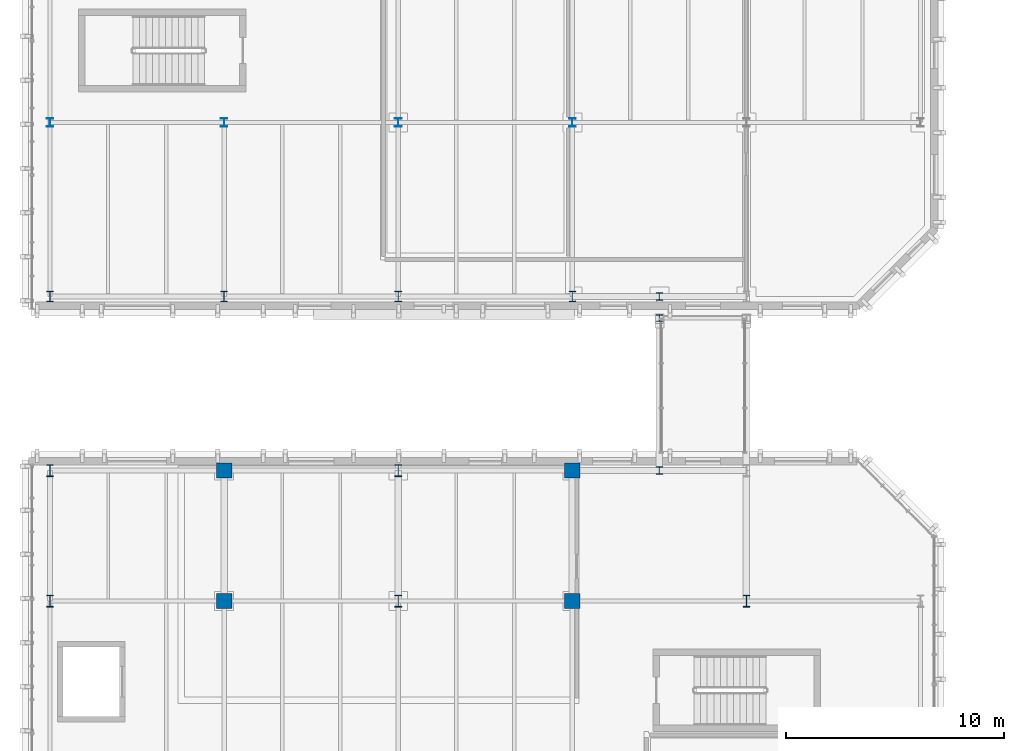
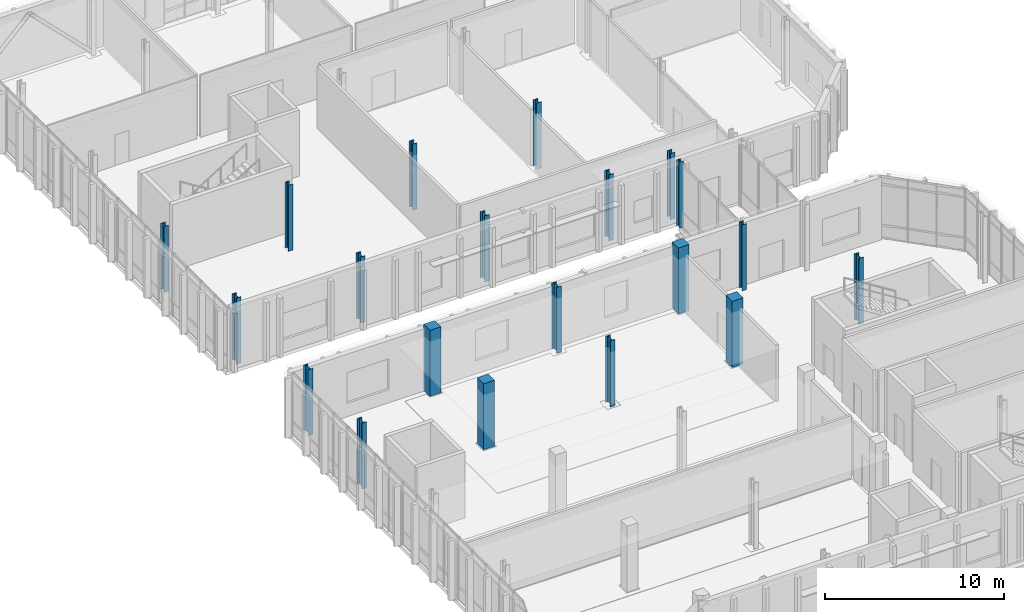
# One storey, part 8 of 100: 20 columns.
"""IFC4 building model written with IfcOpenShell, lengths in metres."""

from ifc_helpers import new_model, si_unit, direction, frame, origin, origin_2d, place, context, subcontext, project, spatial, rectangle, i_section, extrude, material, material_profile, profile_set, type_object, element, save


model = new_model("IFC4")

# Units and contexts
model_context = context("Model", 3, precision=1e-05, world=origin(), true_north=direction((0.0, 1.0)))
body_context = subcontext(model_context, "Body", "Model", "MODEL_VIEW")
ifc_project = project(units=[si_unit("LENGTHUNIT", "METRE"), si_unit("AREAUNIT", "SQUARE_METRE"), si_unit("VOLUMEUNIT", "CUBIC_METRE"), si_unit("PLANEANGLEUNIT", "RADIAN"), si_unit("MASSUNIT", "GRAM", prefix="KILO")], contexts=[model_context])

# Site, building, storey
site_placement = place(None, origin())
site = spatial("IfcSite", under=ifc_project, at=site_placement, CompositionType="ELEMENT")
building_placement = place(site_placement, origin())
building = spatial("IfcBuilding", under=site, at=building_placement, Name="Cymarion Research Institute", CompositionType="ELEMENT")
storey_placement = place(building_placement, frame((0.0, 0.0, 4.800048828125)))
storey = spatial("IfcBuildingStorey", under=building, at=storey_placement, Name="L01", CompositionType="ELEMENT", Elevation=4.800048828125)

# Columns
ifc_material_1 = material(Name="Steel S355", Category="steel")
ifc_material_profile_1 = material_profile(ifc_material_1, i_section(OverallWidth=0.300048828125, OverallDepth=0.550048828125, WebThickness=0.014892578125, FlangeThickness=0.029052734375, FilletRadius=0.027099609375, at=origin_2d()), Name="HEB 550")
ifc_profile_set_1 = profile_set([ifc_material_profile_1], Name="Steel S355")
column_type_1 = type_object("IfcColumnType", Name="STRUCTURAL COLUMN C03 HEB 550", PredefinedType="COLUMN", material=ifc_profile_set_1)
for number, where, z_axis, x_axis, name in (
    (1, (6.60009765625, 71.5, 0.0), (0.0, 0.0, 1.0), (1.0, 0.0, 0.0), "L01 V4 column C03 #456"),
    (2, (6.60009765625, 77.5, 0.0), (0.0, 0.0, 1.0), (1.0, 0.0, 0.0), "L01 V4 column C03 #457"),
    (3, (22.60009765625, 71.5, 0.0), (0.0, 0.0, 1.0), (1.0, 0.0, 0.0), "L01 V4 column C03 #487"),
    (4, (22.60009765625, 77.5, 0.0), (0.0, 0.0, 1.0), (1.0, 0.0, 0.0), "L01 V4 column C03 #488"),
    (5, (38.60009765625, 71.5, 0.0), (0.0, 0.0, 1.0), (1.0, 0.0, 0.0), "L01 V4 column C03 #524"),
):
    element("IfcColumn", number, at=place(storey_placement, frame(where, z_axis=z_axis, x_axis=x_axis)), inside=storey, type_object=column_type_1, Name=name, PredefinedType="COLUMN", context=body_context, shape_type="SweptSolid", body=[
        extrude(i_section(OverallWidth=0.300048828125, OverallDepth=0.550048828125, WebThickness=0.014892578125, FlangeThickness=0.029052734375, FilletRadius=0.027099609375, at=origin_2d()), origin(), (0.0, 0.0, 1.0), 4.5),
    ])
ifc_material_profile_2 = material_profile(ifc_material_1, i_section(OverallWidth=0.300048828125, OverallDepth=0.5, WebThickness=0.014404296875, FlangeThickness=0.028076171875, FilletRadius=0.027099609375, at=origin_2d()), Name="HEB 500")
ifc_profile_set_2 = profile_set([ifc_material_profile_2], Name="Steel S355")
column_type_2 = type_object("IfcColumnType", Name="STRUCTURAL COLUMN C04 HEB 500", PredefinedType="COLUMN", material=ifc_profile_set_2)
for number, where, z_axis, x_axis, name in (
    (6, (6.60009765625, 85.5, 0.0), (0.0, 0.0, 1.0), (1.0, 0.0, 0.0), "L01 V5 column C04 #458"),
    (7, (14.60009765625, 85.5, 0.0), (0.0, 0.0, 1.0), (1.0, 0.0, 0.0), "L01 V5 column C04 #474"),
    (8, (22.60009765625, 85.5, 0.0), (0.0, 0.0, 1.0), (1.0, 0.0, 0.0), "L01 V5 column C04 #489"),
    (9, (30.60009765625, 85.5, 0.0), (0.0, 0.0, 1.0), (1.0, 0.0, 0.0), "L01 V5 column C04 #505"),
):
    element("IfcColumn", number, at=place(storey_placement, frame(where, z_axis=z_axis, x_axis=x_axis)), inside=storey, type_object=column_type_2, Name=name, PredefinedType="COLUMN", context=body_context, shape_type="SweptSolid", body=[
        extrude(i_section(OverallWidth=0.300048828125, OverallDepth=0.5, WebThickness=0.014404296875, FlangeThickness=0.028076171875, FilletRadius=0.027099609375, at=origin_2d()), origin(), (0.0, 0.0, 1.0), 4.5),
    ])
ifc_material_profile_3 = material_profile(ifc_material_1, i_section(OverallWidth=0.300048828125, OverallDepth=0.360107421875, WebThickness=0.012451171875, FlangeThickness=0.0224609375, FilletRadius=0.027099609375, at=origin_2d()), Name="HEB 360")
ifc_profile_set_3 = profile_set([ifc_material_profile_3], Name="Steel S355")
column_type_3 = type_object("IfcColumnType", Name="STRUCTURAL COLUMN C07 HEB 360", PredefinedType="COLUMN", material=ifc_profile_set_3)
for number, where, z_axis, x_axis, name in (
    (10, (34.60009765625, 77.5, 0.0), (0.0, 0.0, 1.0), (1.0, 0.0, 0.0), "L01 V4 column C07 #511"),
    (11, (34.60009765625, 85.5, 0.0), (0.0, 0.0, 1.0), (1.0, 0.0, 0.0), "L01 V5 column C07 #513"),
):
    element("IfcColumn", number, at=place(storey_placement, frame(where, z_axis=z_axis, x_axis=x_axis)), inside=storey, type_object=column_type_3, Name=name, PredefinedType="COLUMN", context=body_context, shape_type="SweptSolid", body=[
        extrude(i_section(OverallWidth=0.300048828125, OverallDepth=0.360107421875, WebThickness=0.012451171875, FlangeThickness=0.0224609375, FilletRadius=0.027099609375, at=origin_2d()), origin(), (0.0, 0.0, 1.0), 4.5),
    ])
ifc_material_profile_4 = material_profile(ifc_material_1, i_section(OverallWidth=0.300048828125, OverallDepth=0.300048828125, WebThickness=0.010986328125, FlangeThickness=0.01904296875, FilletRadius=0.027099609375, at=origin_2d()), Name="HEB 300")
ifc_profile_set_4 = profile_set([ifc_material_profile_4], Name="Steel S355")
column_type_4 = type_object("IfcColumnType", Name="STRUCTURAL COLUMN C08 HEB 300", PredefinedType="COLUMN", material=ifc_profile_set_4)
column_placement = place(storey_placement, frame((34.60009765625, 84.5, 0.0), z_axis=(0.0, 0.0, 1.0), x_axis=(1.0, 0.0, 0.0)))
element("IfcColumn", 12, at=column_placement, inside=storey, type_object=column_type_4, Name="L01 V4 column C08 #512", PredefinedType="COLUMN", context=body_context, shape_type="SweptSolid", body=[
    extrude(i_section(OverallWidth=0.300048828125, OverallDepth=0.300048828125, WebThickness=0.010986328125, FlangeThickness=0.01904296875, FilletRadius=0.027099609375, at=origin_2d()), origin(), (0.0, 0.0, 1.0), 4.5),
])
ifc_material_profile_5 = material_profile(ifc_material_1, i_section(OverallWidth=0.300048828125, OverallDepth=0.389892578125, WebThickness=0.010986328125, FlangeThickness=0.01904296875, FilletRadius=0.027099609375, at=origin_2d()), Name="HEA 400")
ifc_profile_set_5 = profile_set([ifc_material_profile_5], Name="Steel S355")
column_type_5 = type_object("IfcColumnType", Name="STRUCTURAL COLUMN C11 HEA 400", PredefinedType="COLUMN", material=ifc_profile_set_5)
for number, where, z_axis, x_axis, name in (
    (13, (6.60009765625, 93.5, 0.0), (0.0, 0.0, 1.0), (1.0, 0.0, 0.0), "L01 V5 column C11 #459"),
    (14, (14.60009765625, 93.5, 0.0), (0.0, 0.0, 1.0), (1.0, 0.0, 0.0), "L01 V5 column C11 #475"),
    (15, (22.60009765625, 93.5, 0.0), (0.0, 0.0, 1.0), (1.0, 0.0, 0.0), "L01 V5 column C11 #490"),
    (16, (30.60009765625, 93.5, 0.0), (0.0, 0.0, 1.0), (1.0, 0.0, 0.0), "L01 V5 column C11 #506"),
):
    element("IfcColumn", number, at=place(storey_placement, frame(where, z_axis=z_axis, x_axis=x_axis)), inside=storey, type_object=column_type_5, Name=name, PredefinedType="COLUMN", context=body_context, shape_type="SweptSolid", body=[
        extrude(i_section(OverallWidth=0.300048828125, OverallDepth=0.389892578125, WebThickness=0.010986328125, FlangeThickness=0.01904296875, FilletRadius=0.027099609375, at=origin_2d()), origin(), (0.0, 0.0, 1.0), 4.5),
    ])
ifc_material_2 = material(Name="Concrete C40/50", Category="concrete")
ifc_material_profile_6 = material_profile(ifc_material_2, rectangle(XDim=0.699951171875, YDim=0.699951171875, at=origin_2d()), Name="RC 700x700")
ifc_profile_set_6 = profile_set([ifc_material_profile_6], Name="Concrete C40/50")
column_type_6 = type_object("IfcColumnType", Name="STRUCTURAL COLUMN C17 RC 700x700", PredefinedType="COLUMN", material=ifc_profile_set_6)
for number, where, z_axis, x_axis, name in (
    (17, (14.60009765625, 71.5, 0.0), (0.0, 0.0, 1.0), (1.0, 0.0, 0.0), "L01 V4 column C17 #472"),
    (18, (14.60009765625, 77.5, 0.0), (0.0, 0.0, 1.0), (1.0, 0.0, 0.0), "L01 V4 column C17 #473"),
    (19, (30.60009765625, 71.5, 0.0), (0.0, 0.0, 1.0), (1.0, 0.0, 0.0), "L01 V4 column C17 #503"),
    (20, (30.60009765625, 77.5, 0.0), (0.0, 0.0, 1.0), (1.0, 0.0, 0.0), "L01 V4 column C17 #504"),
):
    element("IfcColumn", number, at=place(storey_placement, frame(where, z_axis=z_axis, x_axis=x_axis)), inside=storey, type_object=column_type_6, Name=name, PredefinedType="COLUMN", context=body_context, shape_type="SweptSolid", body=[
        extrude(rectangle(XDim=0.699951171875, YDim=0.699951171875, at=origin_2d()), origin(), (0.0, 0.0, 1.0), 4.5),
    ])

save(model, "model.ifc")
